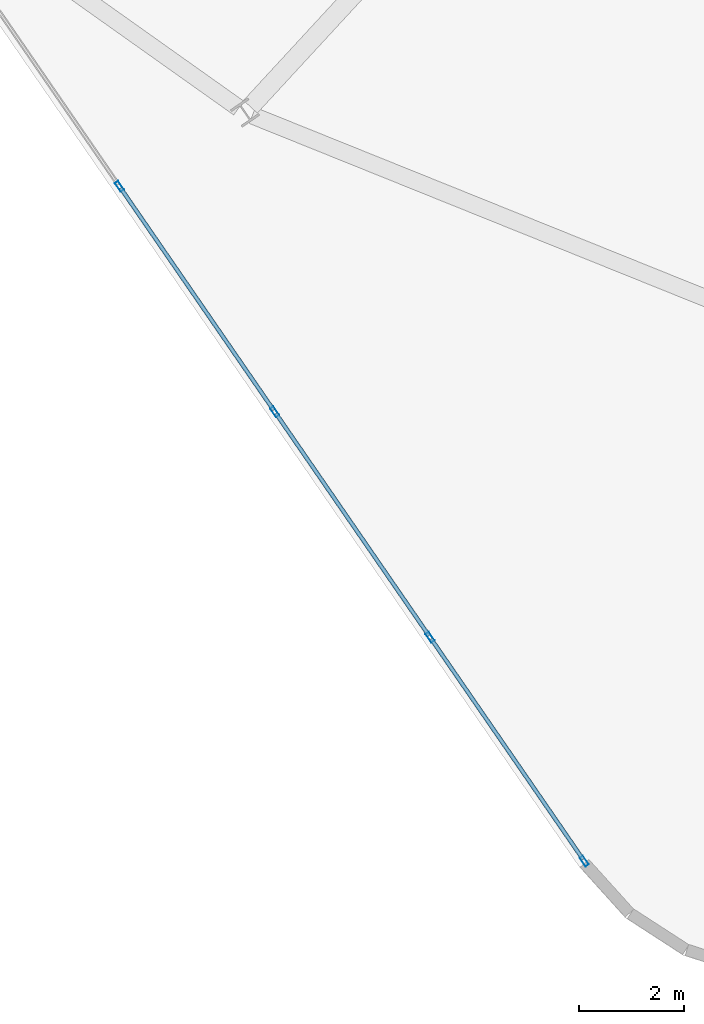
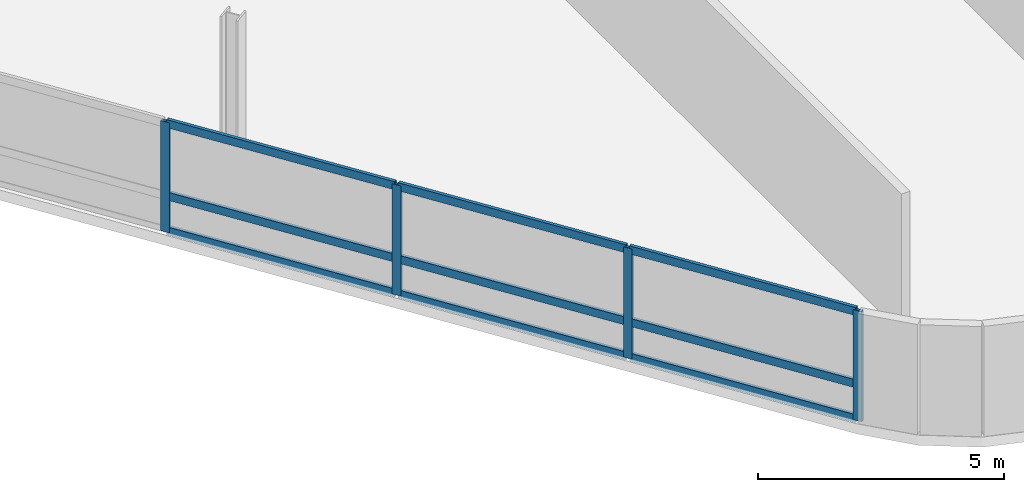
# One storey, part 3 of 22: 13 members, 1 element without a shape of its own.
"""IFC4 building model written with IfcOpenShell, lengths in metres."""

from ifc_helpers import new_model, si_unit, direction, frame, origin, origin_2d, place, context, subcontext, project, spatial, hollow_rectangle, extrude, material, layer, layer_set, material_profile, profile_set, type_object, element, aggregate, save


model = new_model("IFC4")

# Units and contexts
model_context = context("Model", 3, precision=1e-05, world=origin(), true_north=direction((0.0, 1.0)))
body_context = subcontext(model_context, "Body", "Model", "MODEL_VIEW")
ifc_project = project(units=[si_unit("LENGTHUNIT", "METRE"), si_unit("AREAUNIT", "SQUARE_METRE"), si_unit("VOLUMEUNIT", "CUBIC_METRE"), si_unit("PLANEANGLEUNIT", "RADIAN"), si_unit("MASSUNIT", "GRAM", prefix="KILO")], contexts=[model_context])

# Site, building, storey
site_placement = place(None, origin())
site = spatial("IfcSite", under=ifc_project, at=site_placement, CompositionType="ELEMENT")
building_placement = place(site_placement, origin())
building = spatial("IfcBuilding", under=site, at=building_placement, Name="Varnelok Gate Tower", CompositionType="ELEMENT")
storey_placement = place(building_placement, frame((0.0, 0.0, 284.10009765625)))
storey = spatial("IfcBuildingStorey", under=building, at=storey_placement, Name="L73", CompositionType="ELEMENT", Elevation=284.10009765625)

# Curtain wall, members
ifc_material = material(Name="Anodized Aluminum Alloy 6063-T6", Category="aluminium")
ifc_layer = layer(ifc_material, 0.179931640625)
ifc_layer_set = layer_set([ifc_layer], Name="Anodized Aluminum Alloy 6063-T6")
curtain_wall_type = type_object("IfcCurtainWallType", Name="CW6-CROWN-LOOKOUT", PredefinedType="USERDEFINED", material=ifc_layer_set)
curtain_wall_placement = place(storey_placement, origin())
curtain_wall = element("IfcCurtainWall", 1, at=curtain_wall_placement, inside=storey, type_object=curtain_wall_type, Name="L73 West End Vision Curtain Wall", ObjectType="STRUCTURAL GLAZING", PredefinedType="USERDEFINED")
ifc_material_profile_1 = material_profile(ifc_material, hollow_rectangle(XDim=0.074951171875, YDim=0.199951171875, WallThickness=0.00390625, at=origin_2d()), Name="ALU200X75X4")
ifc_profile_set_1 = profile_set([ifc_material_profile_1], Name="Anodized Aluminum Alloy 6063-T6")
member_type_1 = type_object("IfcMemberType", Name="CW-MULL-200", PredefinedType="MULLION", material=ifc_profile_set_1)
member_1_placement = place(storey_placement, frame((20.884521484375, -6.21337890625, 0.0), z_axis=(0.0, 0.0, 1.0), x_axis=(-0.823532290241, -0.567269395376, 0.0)))
member_1 = element("IfcMember", 2, at=member_1_placement, type_object=member_type_1, Name="CW6 mullion 1", PredefinedType="MULLION", context=body_context, shape_type="SweptSolid", body=[
    extrude(hollow_rectangle(XDim=0.074951171875, YDim=0.199951171875, WallThickness=0.00390625, at=origin_2d()), origin(), (0.0, 0.0, 1.0), 2.72998046875),
])
member_2_placement = place(storey_placement, frame((17.9560546875, -1.9619140625, 0.0), z_axis=(0.0, 0.0, 1.0), x_axis=(-0.823532290241, -0.567269395376, 0.0)))
member_2 = element("IfcMember", 3, at=member_2_placement, type_object=member_type_1, Name="CW6 mullion 2", PredefinedType="MULLION", context=body_context, shape_type="SweptSolid", body=[
    extrude(hollow_rectangle(XDim=0.074951171875, YDim=0.199951171875, WallThickness=0.00390625, at=origin_2d()), origin(), (0.0, 0.0, 1.0), 2.72998046875),
])
member_3_placement = place(storey_placement, frame((15.006103515625, 2.3203125, 0.0), z_axis=(0.0, 0.0, 1.0), x_axis=(-0.823532290241, -0.567269395376, 0.0)))
member_3 = element("IfcMember", 4, at=member_3_placement, type_object=member_type_1, Name="CW6 mullion 3", PredefinedType="MULLION", context=body_context, shape_type="SweptSolid", body=[
    extrude(hollow_rectangle(XDim=0.074951171875, YDim=0.199951171875, WallThickness=0.00390625, at=origin_2d()), origin(), (0.0, 0.0, 1.0), 2.72998046875),
])
member_4_placement = place(storey_placement, frame((12.056396484375, 6.602783203125, 0.0), z_axis=(0.0, 0.0, 1.0), x_axis=(-0.823532290241, -0.567269395376, 0.0)))
member_4 = element("IfcMember", 5, at=member_4_placement, type_object=member_type_1, Name="CW6 mullion 4", PredefinedType="MULLION", context=body_context, shape_type="SweptSolid", body=[
    extrude(hollow_rectangle(XDim=0.074951171875, YDim=0.199951171875, WallThickness=0.00390625, at=origin_2d()), origin(), (0.0, 0.0, 1.0), 2.72998046875),
])
ifc_material_profile_2 = material_profile(ifc_material, hollow_rectangle(XDim=0.074951171875, YDim=0.199951171875, WallThickness=0.00390625, at=origin_2d()), Name="ALU200X75X4")
ifc_profile_set_2 = profile_set([ifc_material_profile_2], Name="Anodized Aluminum Alloy 6063-T6")
member_type_2 = type_object("IfcMemberType", Name="CW-TRAN-200", PredefinedType="USERDEFINED", material=ifc_profile_set_2)
member_5_placement = place(storey_placement, frame((20.86328125, -6.1826171875, 0.037353515625), z_axis=(-0.567271968481, 0.823530517817, 0.0), x_axis=(-0.823530517817, -0.567271968481, 0.0)))
member_5 = element("IfcMember", 6, at=member_5_placement, type_object=member_type_2, Name="CW6 transom 1.1", ObjectType="TRANSOM", PredefinedType="USERDEFINED", context=body_context, shape_type="SweptSolid", body=[
    extrude(hollow_rectangle(XDim=0.074951171875, YDim=0.199951171875, WallThickness=0.00390625, at=origin_2d()), origin(), (0.0, 0.0, 1.0), 5.08740234375),
])
member_6_placement = place(storey_placement, frame((20.86328125, -6.1826171875, 0.89990234375), z_axis=(-0.567271968481, 0.823530517817, 0.0), x_axis=(-0.823530517817, -0.567271968481, 0.0)))
member_6 = element("IfcMember", 7, at=member_6_placement, type_object=member_type_2, Name="CW6 transom 1.2", ObjectType="TRANSOM", PredefinedType="USERDEFINED", context=body_context, shape_type="SweptSolid", body=[
    extrude(hollow_rectangle(XDim=0.074951171875, YDim=0.199951171875, WallThickness=0.00390625, at=origin_2d()), origin(), (0.0, 0.0, 1.0), 5.08740234375),
])
member_7_placement = place(storey_placement, frame((20.86328125, -6.1826171875, 2.6923828125), z_axis=(-0.567271968481, 0.823530517817, 0.0), x_axis=(-0.823530517817, -0.567271968481, 0.0)))
member_7 = element("IfcMember", 8, at=member_7_placement, type_object=member_type_2, Name="CW6 transom 1.3", ObjectType="TRANSOM", PredefinedType="USERDEFINED", context=body_context, shape_type="SweptSolid", body=[
    extrude(hollow_rectangle(XDim=0.074951171875, YDim=0.199951171875, WallThickness=0.00390625, at=origin_2d()), origin(), (0.0, 0.0, 1.0), 5.08740234375),
])
member_8_placement = place(storey_placement, frame((17.934814453125, -1.93115234375, 0.037353515625), z_axis=(-0.567256418128, 0.82354122914, 0.0), x_axis=(-0.82354122914, -0.567256418128, 0.0)))
member_8 = element("IfcMember", 9, at=member_8_placement, type_object=member_type_2, Name="CW6 transom 2.1", ObjectType="TRANSOM", PredefinedType="USERDEFINED", context=body_context, shape_type="SweptSolid", body=[
    extrude(hollow_rectangle(XDim=0.074951171875, YDim=0.199951171875, WallThickness=0.00390625, at=origin_2d()), origin(), (0.0, 0.0, 1.0), 5.125),
])
member_9_placement = place(storey_placement, frame((17.934814453125, -1.93115234375, 0.89990234375), z_axis=(-0.567256418128, 0.82354122914, 0.0), x_axis=(-0.82354122914, -0.567256418128, 0.0)))
member_9 = element("IfcMember", 10, at=member_9_placement, type_object=member_type_2, Name="CW6 transom 2.2", ObjectType="TRANSOM", PredefinedType="USERDEFINED", context=body_context, shape_type="SweptSolid", body=[
    extrude(hollow_rectangle(XDim=0.074951171875, YDim=0.199951171875, WallThickness=0.00390625, at=origin_2d()), origin(), (0.0, 0.0, 1.0), 5.125),
])
member_10_placement = place(storey_placement, frame((17.934814453125, -1.93115234375, 2.6923828125), z_axis=(-0.567256418128, 0.82354122914, 0.0), x_axis=(-0.82354122914, -0.567256418128, 0.0)))
member_10 = element("IfcMember", 11, at=member_10_placement, type_object=member_type_2, Name="CW6 transom 2.3", ObjectType="TRANSOM", PredefinedType="USERDEFINED", context=body_context, shape_type="SweptSolid", body=[
    extrude(hollow_rectangle(XDim=0.074951171875, YDim=0.199951171875, WallThickness=0.00390625, at=origin_2d()), origin(), (0.0, 0.0, 1.0), 5.125),
])
member_11_placement = place(storey_placement, frame((14.98486328125, 2.351318359375, 0.037353515625), z_axis=(-0.567256418128, 0.82354122914, 0.0), x_axis=(-0.82354122914, -0.567256418128, 0.0)))
member_11 = element("IfcMember", 12, at=member_11_placement, type_object=member_type_2, Name="CW6 transom 3.1", ObjectType="TRANSOM", PredefinedType="USERDEFINED", context=body_context, shape_type="SweptSolid", body=[
    extrude(hollow_rectangle(XDim=0.074951171875, YDim=0.199951171875, WallThickness=0.00390625, at=origin_2d()), origin(), (0.0, 0.0, 1.0), 5.125),
])
member_12_placement = place(storey_placement, frame((14.98486328125, 2.351318359375, 0.89990234375), z_axis=(-0.567256418128, 0.82354122914, 0.0), x_axis=(-0.82354122914, -0.567256418128, 0.0)))
member_12 = element("IfcMember", 13, at=member_12_placement, type_object=member_type_2, Name="CW6 transom 3.2", ObjectType="TRANSOM", PredefinedType="USERDEFINED", context=body_context, shape_type="SweptSolid", body=[
    extrude(hollow_rectangle(XDim=0.074951171875, YDim=0.199951171875, WallThickness=0.00390625, at=origin_2d()), origin(), (0.0, 0.0, 1.0), 5.125),
])
member_13_placement = place(storey_placement, frame((14.98486328125, 2.351318359375, 2.6923828125), z_axis=(-0.567256418128, 0.82354122914, 0.0), x_axis=(-0.82354122914, -0.567256418128, 0.0)))
member_13 = element("IfcMember", 14, at=member_13_placement, type_object=member_type_2, Name="CW6 transom 3.3", ObjectType="TRANSOM", PredefinedType="USERDEFINED", context=body_context, shape_type="SweptSolid", body=[
    extrude(hollow_rectangle(XDim=0.074951171875, YDim=0.199951171875, WallThickness=0.00390625, at=origin_2d()), origin(), (0.0, 0.0, 1.0), 5.125),
])
aggregate(curtain_wall, [member_1, member_2, member_3, member_4, member_5, member_6, member_7, member_8, member_9, member_10, member_11, member_12, member_13])

save(model, "model.ifc")
